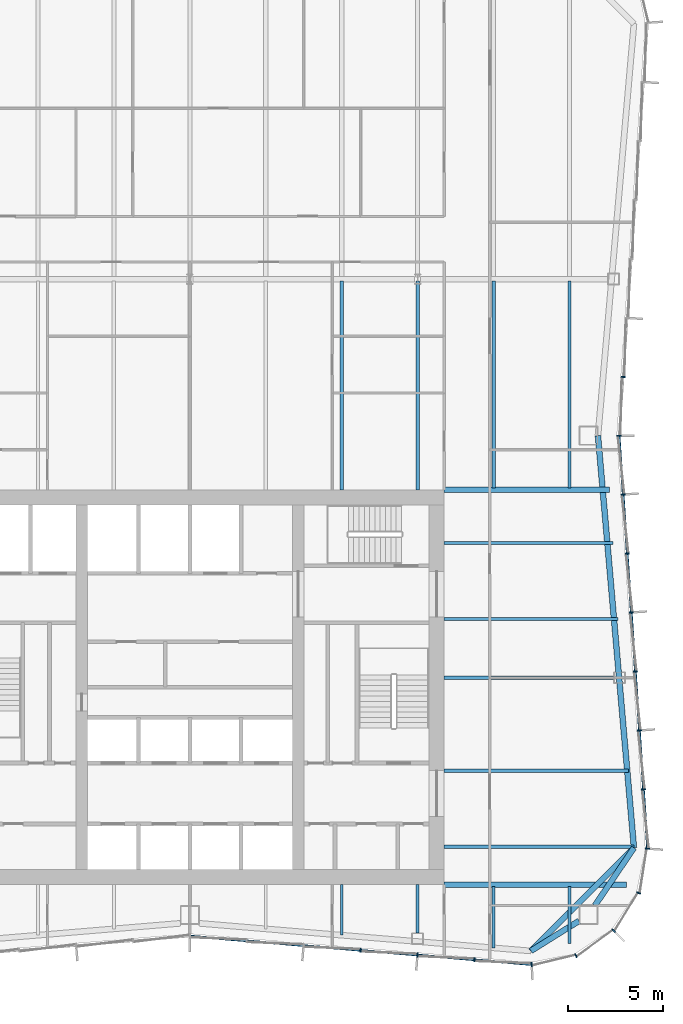
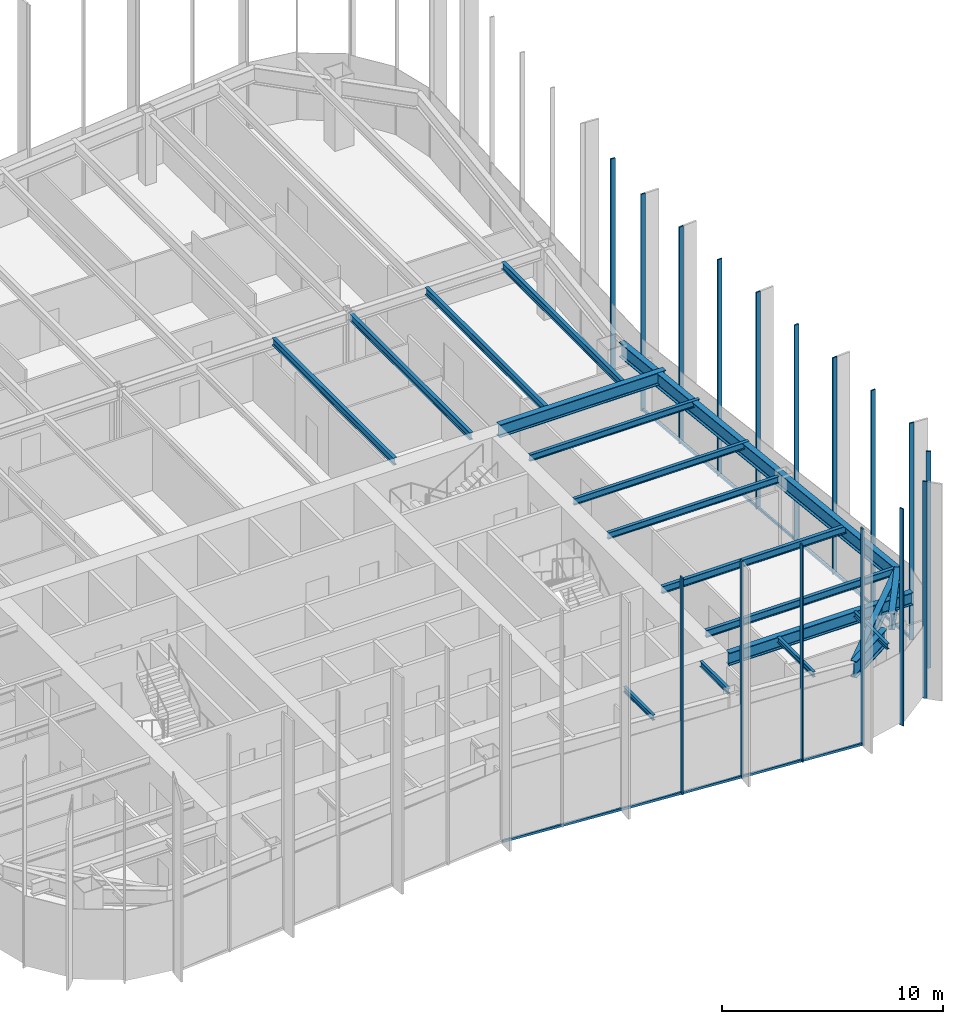
# One storey, part 5 of 15: 19 beams, 18 members, 3 elements without a shape of their own.
"""IFC4 building model written with IfcOpenShell, lengths in metres."""

from ifc_helpers import new_model, si_unit, direction, frame, origin, origin_2d, place, context, subcontext, project, spatial, rectangle, i_section, extrude, material, material_profile, profile_set, type_object, element, aggregate, save


model = new_model("IFC4")

# Units and contexts
model_context = context("Model", 3, precision=1e-05, world=origin(), true_north=direction((0.0, 1.0)))
body_context = subcontext(model_context, "Body", "Model", "MODEL_VIEW")
ifc_project = project(units=[si_unit("LENGTHUNIT", "METRE"), si_unit("AREAUNIT", "SQUARE_METRE"), si_unit("VOLUMEUNIT", "CUBIC_METRE"), si_unit("PLANEANGLEUNIT", "RADIAN"), si_unit("MASSUNIT", "GRAM", prefix="KILO")], contexts=[model_context])

# Site, building, storey
site_placement = place(None, origin())
site = spatial("IfcSite", under=ifc_project, at=site_placement, CompositionType="ELEMENT")
building_placement = place(site_placement, origin())
building = spatial("IfcBuilding", under=site, at=building_placement, Name="Verdant Reach Tower", CompositionType="ELEMENT")
storey_placement = place(building_placement, frame((0.0, 0.0, 250.0)))
storey = spatial("IfcBuildingStorey", under=building, at=storey_placement, Name="L57", CompositionType="ELEMENT", Elevation=250.0)

# Curtain wall, members
ifc_material_1 = material(Name="Anodised aluminium", Category="aluminium")
curtain_wall_type = type_object("IfcCurtainWallType", Name="EN-CW SYSTEM Z4", PredefinedType="NOTDEFINED", material=ifc_material_1)
curtain_wall_1_placement = place(storey_placement, origin())
curtain_wall_1 = element("IfcCurtainWall", 1, at=curtain_wall_1_placement, inside=storey, type_object=curtain_wall_type, Name="Curtain wall south-east corner, L57", PredefinedType="NOTDEFINED")
ifc_material_profile_1 = material_profile(ifc_material_1, rectangle(XDim=0.22412109375, YDim=0.068115234375, at=origin_2d()), Name="Mullion 68x224")
ifc_profile_set_1 = profile_set([ifc_material_profile_1], Name="Anodised aluminium")
member_type_1 = type_object("IfcMemberType", Name="EN-MULLION Z4", PredefinedType="MULLION", material=ifc_profile_set_1)
member_1_placement = place(storey_placement, frame((18.00634765625, 13.38818359375, -0.35009765625), z_axis=(0.0, 0.0, 1.0), x_axis=(0.056569187765, -0.998398681387, 0.0)))
member_1 = element("IfcMember", 2, at=member_1_placement, type_object=member_type_1, Name="Mullion south-east corner 1, L57", PredefinedType="MULLION", context=body_context, shape_type="SweptSolid", body=[
    extrude(rectangle(XDim=0.22412109375, YDim=0.068115234375, at=origin_2d()), origin(), (0.0, 0.0, 1.0), 12.0),
])
member_2_placement = place(storey_placement, frame((20.3388671875, 13.853271484375, -0.35009765625), z_axis=(0.0, 0.0, 1.0), x_axis=(0.382693853776, -0.923875215753, 0.0)))
member_2 = element("IfcMember", 3, at=member_2_placement, type_object=member_type_1, Name="Mullion south-east corner 2, L57", PredefinedType="MULLION", context=body_context, shape_type="SweptSolid", body=[
    extrude(rectangle(XDim=0.22412109375, YDim=0.068115234375, at=origin_2d()), origin(), (0.0, 0.0, 1.0), 12.0),
])
member_3_placement = place(storey_placement, frame((22.32177734375, 15.17822265625, -0.35009765625), z_axis=(0.0, 0.0, 1.0), x_axis=(0.707106781187, -0.707106781187, 0.0)))
member_3 = element("IfcMember", 4, at=member_3_placement, type_object=member_type_1, Name="Mullion south-east corner 3, L57", PredefinedType="MULLION", context=body_context, shape_type="SweptSolid", body=[
    extrude(rectangle(XDim=0.22412109375, YDim=0.068115234375, at=origin_2d()), origin(), (0.0, 0.0, 1.0), 12.0),
])
member_4_placement = place(storey_placement, frame((23.646728515625, 17.1611328125, -0.35009765625), z_axis=(0.0, 0.0, 1.0), x_axis=(0.923875215753, -0.382693853776, 0.0)))
member_4 = element("IfcMember", 5, at=member_4_placement, type_object=member_type_1, Name="Mullion south-east corner 4, L57", PredefinedType="MULLION", context=body_context, shape_type="SweptSolid", body=[
    extrude(rectangle(XDim=0.22412109375, YDim=0.068115234375, at=origin_2d()), origin(), (0.0, 0.0, 1.0), 12.0),
])
aggregate(curtain_wall_1, [member_1, member_2, member_3, member_4])

curtain_wall_2_placement = place(storey_placement, origin())
curtain_wall_2 = element("IfcCurtainWall", 6, at=curtain_wall_2_placement, inside=storey, type_object=curtain_wall_type, Name="Curtain wall east, L57", PredefinedType="NOTDEFINED")
member_5_placement = place(storey_placement, frame((24.11181640625, 19.492919921875, -0.35009765625), z_axis=(0.0, 0.0, 1.0), x_axis=(0.997969180898, -0.063698618332, 0.0)))
member_5 = element("IfcMember", 7, at=member_5_placement, type_object=member_type_1, Name="Mullion east face part 1 1, L57", PredefinedType="MULLION", context=body_context, shape_type="SweptSolid", body=[
    extrude(rectangle(XDim=0.22412109375, YDim=0.068115234375, at=origin_2d()), origin(), (0.0, 0.0, 1.0), 12.0),
])
member_6_placement = place(storey_placement, frame((23.8974609375, 22.61474609375, -0.35009765625), z_axis=(0.0, 0.0, 1.0), x_axis=(0.997630328423, 0.068802091615, 0.0)))
member_6 = element("IfcMember", 8, at=member_6_placement, type_object=member_type_1, Name="Mullion east face part 1 2, L57", PredefinedType="MULLION", context=body_context, shape_type="SweptSolid", body=[
    extrude(rectangle(XDim=0.22412109375, YDim=0.068115234375, at=origin_2d()), origin(), (0.0, 0.0, 1.0), 12.0),
])
member_7_placement = place(storey_placement, frame((23.68310546875, 25.721923828125, -0.35009765625), z_axis=(0.0, 0.0, 1.0), x_axis=(0.997630328423, 0.068802091615, 0.0)))
member_7 = element("IfcMember", 9, at=member_7_placement, type_object=member_type_1, Name="Mullion east face part 1 3, L57", PredefinedType="MULLION", context=body_context, shape_type="SweptSolid", body=[
    extrude(rectangle(XDim=0.22412109375, YDim=0.068115234375, at=origin_2d()), origin(), (0.0, 0.0, 1.0), 12.0),
])
member_8_placement = place(storey_placement, frame((23.468994140625, 28.8291015625, -0.35009765625), z_axis=(0.0, 0.0, 1.0), x_axis=(0.997630328423, 0.068802091615, 0.0)))
member_8 = element("IfcMember", 10, at=member_8_placement, type_object=member_type_1, Name="Mullion east face part 1 4, L57", PredefinedType="MULLION", context=body_context, shape_type="SweptSolid", body=[
    extrude(rectangle(XDim=0.22412109375, YDim=0.068115234375, at=origin_2d()), origin(), (0.0, 0.0, 1.0), 12.0),
])
member_9_placement = place(storey_placement, frame((23.254638671875, 31.936279296875, -0.35009765625), z_axis=(0.0, 0.0, 1.0), x_axis=(0.997630328423, 0.068802091615, 0.0)))
member_9 = element("IfcMember", 11, at=member_9_placement, type_object=member_type_1, Name="Mullion east face part 1 5, L57", PredefinedType="MULLION", context=body_context, shape_type="SweptSolid", body=[
    extrude(rectangle(XDim=0.22412109375, YDim=0.068115234375, at=origin_2d()), origin(), (0.0, 0.0, 1.0), 12.0),
])
member_10_placement = place(storey_placement, frame((23.040283203125, 35.04345703125, -0.35009765625), z_axis=(0.0, 0.0, 1.0), x_axis=(0.997630328423, 0.068802091615, 0.0)))
member_10 = element("IfcMember", 12, at=member_10_placement, type_object=member_type_1, Name="Mullion east face part 1 6, L57", PredefinedType="MULLION", context=body_context, shape_type="SweptSolid", body=[
    extrude(rectangle(XDim=0.22412109375, YDim=0.068115234375, at=origin_2d()), origin(), (0.0, 0.0, 1.0), 12.0),
])
member_11_placement = place(storey_placement, frame((22.825927734375, 38.150634765625, -0.35009765625), z_axis=(0.0, 0.0, 1.0), x_axis=(0.997630328423, 0.068802091615, 0.0)))
member_11 = element("IfcMember", 13, at=member_11_placement, type_object=member_type_1, Name="Mullion east face part 1 7, L57", PredefinedType="MULLION", context=body_context, shape_type="SweptSolid", body=[
    extrude(rectangle(XDim=0.22412109375, YDim=0.068115234375, at=origin_2d()), origin(), (0.0, 0.0, 1.0), 12.0),
])
member_12_placement = place(storey_placement, frame((22.612060546875, 41.25, -0.35009765625), z_axis=(0.0, 0.0, 1.0), x_axis=(1.0, 0.0, 0.0)))
member_12 = element("IfcMember", 14, at=member_12_placement, type_object=member_type_1, Name="Mullion east face part 2 1, L57", PredefinedType="MULLION", context=body_context, shape_type="SweptSolid", body=[
    extrude(rectangle(XDim=0.22412109375, YDim=0.068115234375, at=origin_2d()), origin(), (0.0, 0.0, 1.0), 12.0),
])
member_13_placement = place(storey_placement, frame((22.825927734375, 44.349365234375, -0.35009765625), z_axis=(0.0, 0.0, 1.0), x_axis=(0.997630328423, -0.068802091615, 0.0)))
member_13 = element("IfcMember", 15, at=member_13_placement, type_object=member_type_1, Name="Mullion east face part 2 2, L57", PredefinedType="MULLION", context=body_context, shape_type="SweptSolid", body=[
    extrude(rectangle(XDim=0.22412109375, YDim=0.068115234375, at=origin_2d()), origin(), (0.0, 0.0, 1.0), 12.0),
])

curtain_wall_3_placement = place(storey_placement, origin())
curtain_wall_3 = element("IfcCurtainWall", 16, at=curtain_wall_3_placement, inside=storey, type_object=curtain_wall_type, Name="Curtain wall south, L57", PredefinedType="NOTDEFINED")
member_14_placement = place(storey_placement, frame((8.99072265625, 14.138427734375, -0.35009765625), z_axis=(0.0, 0.0, 1.0), x_axis=(-0.083045479859, -0.996545758244, 0.0)))
member_14 = element("IfcMember", 17, at=member_14_placement, type_object=member_type_1, Name="Mullion south face part 2 4, L57", PredefinedType="MULLION", context=body_context, shape_type="SweptSolid", body=[
    extrude(rectangle(XDim=0.22412109375, YDim=0.068115234375, at=origin_2d()), origin(), (0.0, 0.0, 1.0), 12.0),
])
member_15_placement = place(storey_placement, frame((11.99072265625, 13.888427734375, -0.35009765625), z_axis=(0.0, 0.0, 1.0), x_axis=(-0.083045479859, -0.996545758244, 0.0)))
member_15 = element("IfcMember", 18, at=member_15_placement, type_object=member_type_1, Name="Mullion south face part 2 5, L57", PredefinedType="MULLION", context=body_context, shape_type="SweptSolid", body=[
    extrude(rectangle(XDim=0.22412109375, YDim=0.068115234375, at=origin_2d()), origin(), (0.0, 0.0, 1.0), 12.0),
])
member_16_placement = place(storey_placement, frame((14.99072265625, 13.638427734375, -0.35009765625), z_axis=(0.0, 0.0, 1.0), x_axis=(-0.083045479859, -0.996545758244, 0.0)))
member_16 = element("IfcMember", 19, at=member_16_placement, type_object=member_type_1, Name="Mullion south face part 2 6, L57", PredefinedType="MULLION", context=body_context, shape_type="SweptSolid", body=[
    extrude(rectangle(XDim=0.22412109375, YDim=0.068115234375, at=origin_2d()), origin(), (0.0, 0.0, 1.0), 12.0),
])

# Member
ifc_material_profile_2 = material_profile(ifc_material_1, rectangle(XDim=0.10009765625, YDim=0.1279296875, at=origin_2d()), Name="Transom 128x100")
ifc_profile_set_2 = profile_set([ifc_material_profile_2], Name="Anodised aluminium")
member_type_2 = type_object("IfcMemberType", Name="EN-TRANSOM Z4", PredefinedType="USERDEFINED", material=ifc_profile_set_2)
member_17_placement = place(storey_placement, frame((24.109375, 19.52685546875, -0.285888671875), z_axis=(-0.068770489035, 0.997632507408, 0.0), x_axis=(-0.997632507408, -0.068770489035, 0.0)))
member_17 = element("IfcMember", 20, at=member_17_placement, type_object=member_type_2, Name="Transom east face part 1 1.1, L57", ObjectType="TRANSOM", PredefinedType="USERDEFINED", context=body_context, shape_type="SweptSolid", body=[
    extrude(rectangle(XDim=0.10009765625, YDim=0.1279296875, at=origin_2d()), origin(), (0.0, 0.0, 1.0), 21.74072265625),
])

aggregate(curtain_wall_2, [member_5, member_6, member_7, member_8, member_9, member_10, member_11, member_17, member_12, member_13])

member_18_placement = place(storey_placement, frame((0.033935546875, 14.88525390625, -0.285888671875), z_axis=(0.996549124771, -0.083005071637, 0.0), x_axis=(0.083005071637, 0.996549124771, 0.0)))
member_18 = element("IfcMember", 21, at=member_18_placement, type_object=member_type_2, Name="Transom south face part 2 1.1, L57", ObjectType="TRANSOM", PredefinedType="USERDEFINED", context=body_context, shape_type="SweptSolid", body=[
    extrude(rectangle(XDim=0.10009765625, YDim=0.1279296875, at=origin_2d()), origin(), (0.0, 0.0, 1.0), 18.00048828125),
])

aggregate(curtain_wall_3, [member_14, member_15, member_16, member_18])

# Beams
ifc_material_2 = material(Name="Steel S355", Category="steel")
ifc_material_profile_3 = material_profile(ifc_material_2, i_section(OverallWidth=0.300048828125, OverallDepth=0.699951171875, WebThickness=0.01708984375, FlangeThickness=0.031982421875, FilletRadius=0.027099609375, at=origin_2d()), Name="HEB 700")
ifc_profile_set_3 = profile_set([ifc_material_profile_3], Name="Steel S355")
beam_type_1 = type_object("IfcBeamType", Name="ST-BEAM-HEB700", PredefinedType="BEAM", material=ifc_profile_set_3)
beam_1_placement = place(storey_placement, frame((13.39990234375, 38.39990234375, 3.52001953125), z_axis=(1.0, 0.0, 0.0), x_axis=(0.0, 1.0, 0.0)))
element("IfcBeam", 22, at=beam_1_placement, inside=storey, type_object=beam_type_1, Name="Trimmer beam, L57", PredefinedType="BEAM", context=body_context, shape_type="SweptSolid", body=[
    extrude(i_section(OverallWidth=0.300048828125, OverallDepth=0.699951171875, WebThickness=0.01708984375, FlangeThickness=0.031982421875, FilletRadius=0.027099609375, at=origin_2d()), origin(), (0.0, 0.0, 1.0), 8.6953125),
])
beam_2_placement = place(storey_placement, frame((13.39990234375, 17.60009765625, 3.52001953125), z_axis=(1.0, 0.0, 0.0), x_axis=(0.0, 1.0, 0.0)))
element("IfcBeam", 23, at=beam_2_placement, inside=storey, type_object=beam_type_1, Name="Trimmer beam, L57", PredefinedType="BEAM", context=body_context, shape_type="SweptSolid", body=[
    extrude(i_section(OverallWidth=0.300048828125, OverallDepth=0.699951171875, WebThickness=0.01708984375, FlangeThickness=0.031982421875, FilletRadius=0.027099609375, at=origin_2d()), origin(), (0.0, 0.0, 1.0), 9.6103515625),
])
ifc_material_profile_4 = material_profile(ifc_material_2, i_section(OverallWidth=0.302001953125, OverallDepth=0.909912109375, WebThickness=0.02099609375, FlangeThickness=0.0400390625, FilletRadius=0.030029296875, at=origin_2d()), Name="HEM 900")
ifc_profile_set_4 = profile_set([ifc_material_profile_4], Name="Steel S355")
beam_type_2 = type_object("IfcBeamType", Name="ST-BEAM-HEM900", PredefinedType="BEAM", material=ifc_profile_set_4)
beam_3_placement = place(storey_placement, frame((20.5, 15.687744140625, 3.4150390625), z_axis=(-0.848163521635, -0.529734500073, 0.0), x_axis=(0.529734500073, -0.848163521635, 0.0)))
element("IfcBeam", 24, at=beam_3_placement, inside=storey, type_object=beam_type_2, Name="Column stub beam, L57", PredefinedType="BEAM", context=body_context, shape_type="SweptSolid", body=[
    extrude(i_section(OverallWidth=0.302001953125, OverallDepth=0.909912109375, WebThickness=0.02099609375, FlangeThickness=0.0400390625, FilletRadius=0.030029296875, at=origin_2d()), origin(), (0.0, 0.0, 1.0), 2.98779296875),
])
beam_4_placement = place(storey_placement, frame((21.33837890625, 16.5, 3.4150390625), z_axis=(0.560703975309, 0.828016335631, 0.0), x_axis=(-0.828016335631, 0.560703975309, 0.0)))
element("IfcBeam", 25, at=beam_4_placement, inside=storey, type_object=beam_type_2, Name="Column stub beam, L57", PredefinedType="BEAM", context=body_context, shape_type="SweptSolid", body=[
    extrude(i_section(OverallWidth=0.302001953125, OverallDepth=0.909912109375, WebThickness=0.02099609375, FlangeThickness=0.0400390625, FilletRadius=0.030029296875, at=origin_2d()), origin(), (0.0, 0.0, 1.0), 3.669677734375),
])
ifc_material_profile_5 = material_profile(ifc_material_2, i_section(OverallWidth=0.14990234375, OverallDepth=0.300048828125, WebThickness=0.007080078125, FlangeThickness=0.0107421875, FilletRadius=0.014892578125, at=origin_2d()), Name="IPE 300")
ifc_profile_set_5 = profile_set([ifc_material_profile_5], Name="Steel S355")
beam_type_3 = type_object("IfcBeamType", Name="ST-JOIST-IPE300", PredefinedType="JOIST", material=ifc_profile_set_5)
beam_5_placement = place(storey_placement, frame((8.0, 17.60009765625, 3.719970703125), z_axis=(0.0, -1.0, 0.0), x_axis=(1.0, 0.0, 0.0)))
element("IfcBeam", 26, at=beam_5_placement, inside=storey, type_object=beam_type_3, Name="Floor joist, L57", PredefinedType="JOIST", context=body_context, shape_type="SweptSolid", body=[
    extrude(i_section(OverallWidth=0.14990234375, OverallDepth=0.300048828125, WebThickness=0.007080078125, FlangeThickness=0.0107421875, FilletRadius=0.014892578125, at=origin_2d()), origin(), (0.0, 0.0, 1.0), 2.664794921875),
])
beam_6_placement = place(storey_placement, frame((12.0, 17.60009765625, 3.719970703125), z_axis=(0.0, -1.0, 0.0), x_axis=(1.0, 0.0, 0.0)))
element("IfcBeam", 27, at=beam_6_placement, inside=storey, type_object=beam_type_3, Name="Floor joist, L57", PredefinedType="JOIST", context=body_context, shape_type="SweptSolid", body=[
    extrude(i_section(OverallWidth=0.14990234375, OverallDepth=0.300048828125, WebThickness=0.007080078125, FlangeThickness=0.0107421875, FilletRadius=0.014892578125, at=origin_2d()), origin(), (0.0, 0.0, 1.0), 2.550048828125),
])
beam_7_placement = place(storey_placement, frame((16.0, 17.5, 3.719970703125), z_axis=(0.0, -1.0, 0.0), x_axis=(1.0, 0.0, 0.0)))
element("IfcBeam", 28, at=beam_7_placement, inside=storey, type_object=beam_type_3, Name="Floor joist, L57", PredefinedType="JOIST", context=body_context, shape_type="SweptSolid", body=[
    extrude(i_section(OverallWidth=0.14990234375, OverallDepth=0.300048828125, WebThickness=0.007080078125, FlangeThickness=0.0107421875, FilletRadius=0.014892578125, at=origin_2d()), origin(), (0.0, 0.0, 1.0), 3.231201171875),
])
beam_8_placement = place(storey_placement, frame((20.0, 17.5, 3.719970703125), z_axis=(0.0, -1.0, 0.0), x_axis=(1.0, 0.0, 0.0)))
element("IfcBeam", 29, at=beam_8_placement, inside=storey, type_object=beam_type_3, Name="Floor joist, L57", PredefinedType="JOIST", context=body_context, shape_type="SweptSolid", body=[
    extrude(i_section(OverallWidth=0.14990234375, OverallDepth=0.300048828125, WebThickness=0.007080078125, FlangeThickness=0.0107421875, FilletRadius=0.014892578125, at=origin_2d()), origin(), (0.0, 0.0, 1.0), 2.990478515625),
])
ifc_material_profile_6 = material_profile(ifc_material_2, i_section(OverallWidth=0.169921875, OverallDepth=0.360107421875, WebThickness=0.008056640625, FlangeThickness=0.0126953125, FilletRadius=0.01806640625, at=origin_2d()), Name="IPE 360")
ifc_profile_set_6 = profile_set([ifc_material_profile_6], Name="Steel S355")
beam_type_4 = type_object("IfcBeamType", Name="ST-JOIST-IPE360", PredefinedType="JOIST", material=ifc_profile_set_6)
beam_9_placement = place(storey_placement, frame((13.39990234375, 28.5, 3.68994140625), z_axis=(1.0, 0.0, 0.0), x_axis=(0.0, 1.0, 0.0)))
element("IfcBeam", 30, at=beam_9_placement, inside=storey, type_object=beam_type_4, Name="Floor joist, L57", PredefinedType="JOIST", context=body_context, shape_type="SweptSolid", body=[
    extrude(i_section(OverallWidth=0.169921875, OverallDepth=0.360107421875, WebThickness=0.008056640625, FlangeThickness=0.0126953125, FilletRadius=0.01806640625, at=origin_2d()), origin(), (0.0, 0.0, 1.0), 8.929443359375),
])
beam_10_placement = place(storey_placement, frame((13.39990234375, 31.60009765625, 3.68994140625), z_axis=(1.0, 0.0, 0.0), x_axis=(0.0, 1.0, 0.0)))
element("IfcBeam", 31, at=beam_10_placement, inside=storey, type_object=beam_type_4, Name="Floor joist, L57", PredefinedType="JOIST", context=body_context, shape_type="SweptSolid", body=[
    extrude(i_section(OverallWidth=0.169921875, OverallDepth=0.360107421875, WebThickness=0.008056640625, FlangeThickness=0.0126953125, FilletRadius=0.01806640625, at=origin_2d()), origin(), (0.0, 0.0, 1.0), 9.164306640625),
])
beam_11_placement = place(storey_placement, frame((13.39990234375, 35.60009765625, 3.68994140625), z_axis=(1.0, 0.0, 0.0), x_axis=(0.0, 1.0, 0.0)))
element("IfcBeam", 32, at=beam_11_placement, inside=storey, type_object=beam_type_4, Name="Floor joist, L57", PredefinedType="JOIST", context=body_context, shape_type="SweptSolid", body=[
    extrude(i_section(OverallWidth=0.169921875, OverallDepth=0.360107421875, WebThickness=0.008056640625, FlangeThickness=0.0126953125, FilletRadius=0.01806640625, at=origin_2d()), origin(), (0.0, 0.0, 1.0), 8.88818359375),
])
ifc_material_profile_7 = material_profile(ifc_material_2, i_section(OverallWidth=0.179931640625, OverallDepth=0.39990234375, WebThickness=0.008544921875, FlangeThickness=0.013427734375, FilletRadius=0.02099609375, at=origin_2d()), Name="IPE 400")
ifc_profile_set_7 = profile_set([ifc_material_profile_7], Name="Steel S355")
beam_type_5 = type_object("IfcBeamType", Name="ST-JOIST-IPE400", PredefinedType="JOIST", material=ifc_profile_set_7)
for number, where, z_axis, x_axis, name in (
    (33, (8.0, 38.39990234375, 3.669921875), (0.0, 1.0, 0.0), (-1.0, 0.0, 0.0), "Floor joist, L57"),
    (34, (12.0, 38.39990234375, 3.669921875), (0.0, 1.0, 0.0), (-1.0, 0.0, 0.0), "Floor joist, L57"),
):
    element("IfcBeam", number, at=place(storey_placement, frame(where, z_axis=z_axis, x_axis=x_axis)), inside=storey, type_object=beam_type_5, Name=name, PredefinedType="JOIST", context=body_context, shape_type="SweptSolid", body=[
        extrude(i_section(OverallWidth=0.179931640625, OverallDepth=0.39990234375, WebThickness=0.008544921875, FlangeThickness=0.013427734375, FilletRadius=0.02099609375, at=origin_2d()), origin(), (0.0, 0.0, 1.0), 11.0),
    ])
for number, where, z_axis, x_axis, name in (
    (35, (16.0, 38.5, 3.669921875), (0.0, 1.0, 0.0), (-1.0, 0.0, 0.0), "Floor joist, L57"),
    (36, (20.0, 38.5, 3.669921875), (0.0, 1.0, 0.0), (-1.0, 0.0, 0.0), "Floor joist, L57"),
):
    element("IfcBeam", number, at=place(storey_placement, frame(where, z_axis=z_axis, x_axis=x_axis)), inside=storey, type_object=beam_type_5, Name=name, PredefinedType="JOIST", context=body_context, shape_type="SweptSolid", body=[
        extrude(i_section(OverallWidth=0.179931640625, OverallDepth=0.39990234375, WebThickness=0.008544921875, FlangeThickness=0.013427734375, FilletRadius=0.02099609375, at=origin_2d()), origin(), (0.0, 0.0, 1.0), 10.89990234375),
    ])
beam_12_placement = place(storey_placement, frame((13.39990234375, 19.60009765625, 3.669921875), z_axis=(1.0, 0.0, 0.0), x_axis=(0.0, 1.0, 0.0)))
element("IfcBeam", 37, at=beam_12_placement, inside=storey, type_object=beam_type_5, Name="Floor joist, L57", PredefinedType="JOIST", context=body_context, shape_type="SweptSolid", body=[
    extrude(i_section(OverallWidth=0.179931640625, OverallDepth=0.39990234375, WebThickness=0.008544921875, FlangeThickness=0.013427734375, FilletRadius=0.02099609375, at=origin_2d()), origin(), (0.0, 0.0, 1.0), 9.99169921875),
])
beam_13_placement = place(storey_placement, frame((13.39990234375, 23.60009765625, 3.669921875), z_axis=(1.0, 0.0, 0.0), x_axis=(0.0, 1.0, 0.0)))
element("IfcBeam", 38, at=beam_13_placement, inside=storey, type_object=beam_type_5, Name="Floor joist, L57", PredefinedType="JOIST", context=body_context, shape_type="SweptSolid", body=[
    extrude(i_section(OverallWidth=0.179931640625, OverallDepth=0.39990234375, WebThickness=0.008544921875, FlangeThickness=0.013427734375, FilletRadius=0.02099609375, at=origin_2d()), origin(), (0.0, 0.0, 1.0), 9.7158203125),
])
ifc_material_profile_8 = material_profile(ifc_material_2, i_section(OverallWidth=0.300048828125, OverallDepth=0.800048828125, WebThickness=0.017578125, FlangeThickness=0.032958984375, FilletRadius=0.030029296875, at=origin_2d()), Name="HEB 800")
ifc_profile_set_8 = profile_set([ifc_material_profile_8], Name="Steel S355")
beam_type_6 = type_object("IfcBeamType", Name="ST-SPANDREL-HEB800", PredefinedType="SPANDREL", material=ifc_profile_set_8)
beam_14_placement = place(storey_placement, frame((21.5, 41.25, 3.469970703125), z_axis=(0.086996024331, -0.996208658741, 0.0), x_axis=(0.996208658741, 0.086996024331, 0.0)))
element("IfcBeam", 39, at=beam_14_placement, inside=storey, type_object=beam_type_6, Name="Edge beam, L57", PredefinedType="SPANDREL", context=body_context, shape_type="SweptSolid", body=[
    extrude(i_section(OverallWidth=0.300048828125, OverallDepth=0.800048828125, WebThickness=0.017578125, FlangeThickness=0.032958984375, FilletRadius=0.030029296875, at=origin_2d()), origin(), (0.0, 0.0, 1.0), 21.7939453125),
])
ifc_material_profile_9 = material_profile(ifc_material_2, i_section(OverallWidth=0.302001953125, OverallDepth=0.909912109375, WebThickness=0.02099609375, FlangeThickness=0.0400390625, FilletRadius=0.030029296875, at=origin_2d()), Name="HEM 900")
ifc_profile_set_9 = profile_set([ifc_material_profile_9], Name="Steel S355")
beam_type_7 = type_object("IfcBeamType", Name="ST-SPANDREL-HEM900", PredefinedType="SPANDREL", material=ifc_profile_set_9)
beam_15_placement = place(storey_placement, frame((23.39599609375, 19.53857421875, 3.4150390625), z_axis=(-0.706884275642, -0.707329216738, 0.0), x_axis=(0.707329216738, -0.706884275642, 0.0)))
element("IfcBeam", 40, at=beam_15_placement, inside=storey, type_object=beam_type_7, Name="Edge beam, L57", PredefinedType="SPANDREL", context=body_context, shape_type="SweptSolid", body=[
    extrude(i_section(OverallWidth=0.302001953125, OverallDepth=0.909912109375, WebThickness=0.02099609375, FlangeThickness=0.0400390625, FilletRadius=0.030029296875, at=origin_2d()), origin(), (0.0, 0.0, 1.0), 7.681884765625),
])

save(model, "model.ifc")
